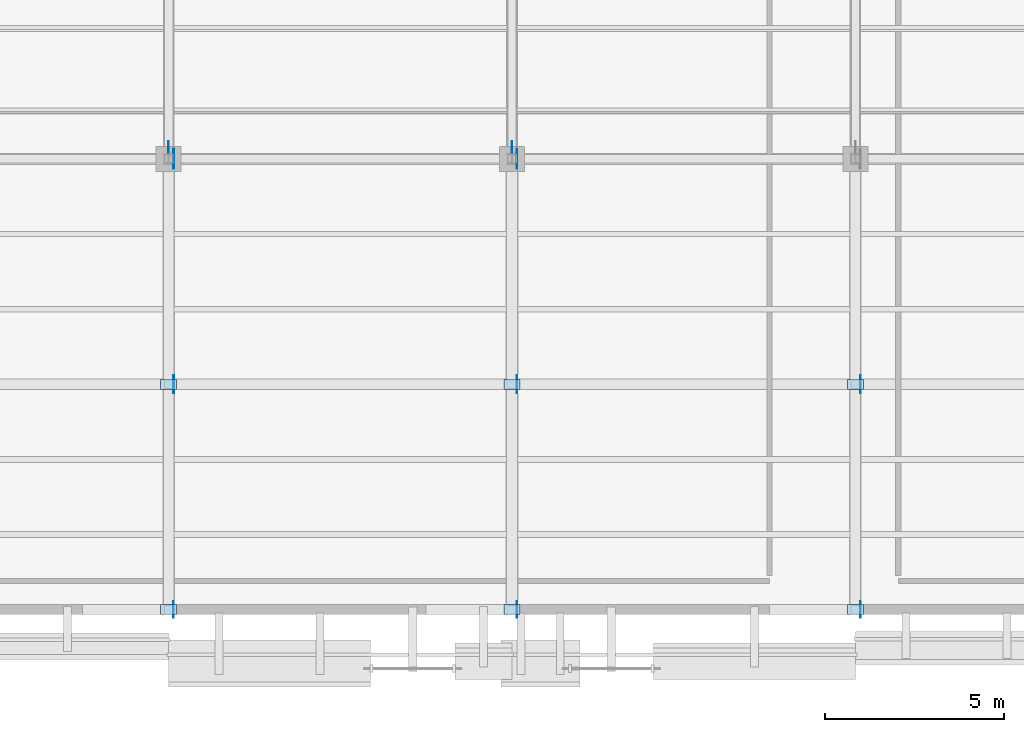
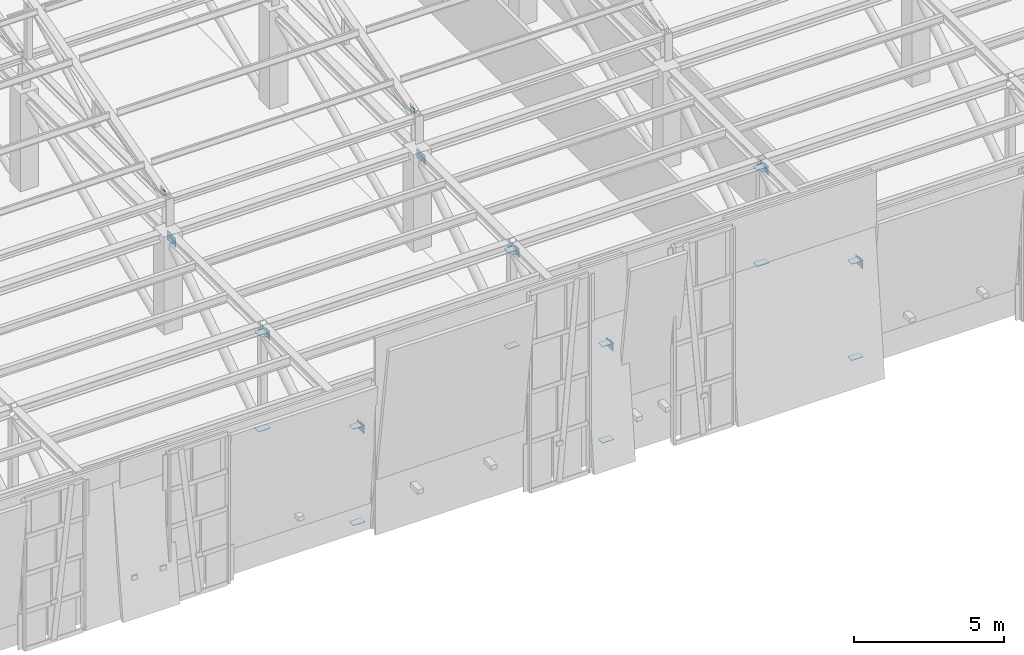
# One storey, part 43 of 71: 22 plates.
"""IFC4 building model written with IfcOpenShell, lengths in metres."""

from ifc_helpers import new_model, si_unit, direction, frame, origin, origin_2d, place, context, subcontext, project, spatial, rectangle, extrude, material, layer, layer_set, type_object, element, save


model = new_model("IFC4")

# Units and contexts
model_context = context("Model", 3, precision=1e-05, world=origin(), true_north=direction((0.0, 1.0)))
body_context = subcontext(model_context, "Body", "Model", "MODEL_VIEW")
ifc_project = project(units=[si_unit("LENGTHUNIT", "METRE"), si_unit("AREAUNIT", "SQUARE_METRE"), si_unit("VOLUMEUNIT", "CUBIC_METRE"), si_unit("PLANEANGLEUNIT", "RADIAN"), si_unit("MASSUNIT", "GRAM", prefix="KILO")], contexts=[model_context])

# Site, building, storey
site_placement = place(None, origin())
site = spatial("IfcSite", under=ifc_project, at=site_placement, CompositionType="ELEMENT")
building_placement = place(site_placement, origin())
building = spatial("IfcBuilding", under=site, at=building_placement, Name="Bempovik Park Faculty of Sciences", CompositionType="ELEMENT")
storey_placement = place(building_placement, frame((0.0, 0.0, 14.10009765625)))
storey = spatial("IfcBuildingStorey", under=building, at=storey_placement, Name="L03", CompositionType="ELEMENT", Elevation=14.10009765625)

# Plates
ifc_material = material(Name="Steel S355", Category="steel")
ifc_layer_1 = layer(ifc_material, 0.02392578125)
ifc_layer_set_1 = layer_set([ifc_layer_1], Name="Steel S355")
plate_type_1 = type_object("IfcPlateType", Name="PL-25 Steel Plate 560x380x24", PredefinedType="SHEET", material=ifc_layer_set_1)
for number, where, z_axis, x_axis, name in (
    (1, (79.340087890625, 19.800048828125, 3.330078125), (0.0, 0.0, 1.0), (1.0, 0.0, 0.0), "Cantilever Gusset Plate CT3-3-T"),
    (2, (88.93994140625, 19.800048828125, 3.330078125), (0.0, 0.0, 1.0), (1.0, 0.0, 0.0), "Cantilever Gusset Plate CT4-3-T"),
):
    element("IfcPlate", number, at=place(storey_placement, frame(where, z_axis=z_axis, x_axis=x_axis)), inside=storey, type_object=plate_type_1, Name=name, PredefinedType="SHEET", context=body_context, shape_type="SweptSolid", body=[
        extrude(rectangle(XDim=0.02392578125, YDim=0.56005859375, at=origin_2d()), origin(), (0.0, 0.0, 1.0), 0.3798828125),
    ])
ifc_layer_2 = layer(ifc_material, 0.011962890625)
ifc_layer_set_2 = layer_set([ifc_layer_2], Name="Steel S355")
plate_type_2 = type_object("IfcPlateType", Name="PL-26 Steel Plate 320x220x12", PredefinedType="SHEET", material=ifc_layer_set_2)
for number, where, z_axis, x_axis, name in (
    (3, (79.199951171875, 20.1298828125, 5.17578125), (0.0, 0.0, 1.0), (1.0, 0.0, 0.0), "Brace/Strut End Gusset Plate SAW-V1-B1-D1-792-E1"),
    (4, (88.800048828125, 20.1298828125, 5.17578125), (0.0, 0.0, 1.0), (1.0, 0.0, 0.0), "Brace/Strut End Gusset Plate SAW-V1-B1-D1-888-E1"),
):
    element("IfcPlate", number, at=place(storey_placement, frame(where, z_axis=z_axis, x_axis=x_axis)), inside=storey, type_object=plate_type_2, Name=name, PredefinedType="SHEET", context=body_context, shape_type="SweptSolid", body=[
        extrude(rectangle(XDim=0.011962890625, YDim=0.320068359375, at=origin_2d()), origin(), (0.0, 0.0, 1.0), 0.219970703125),
    ])
ifc_layer_3 = layer(ifc_material, 0.02001953125)
ifc_layer_set_3 = layer_set([ifc_layer_3], Name="Steel S355")
plate_type_3 = type_object("IfcPlateType", Name="PL-30 Steel Plate 460x320x20", PredefinedType="SHEET", material=ifc_layer_set_3)
for number, where, z_axis, x_axis, name in (
    (5, (79.340087890625, 7.199951171875, 3.35986328125), (0.0, 0.0, 1.0), (1.0, 0.0, 0.0), "Cantilever Gusset Plate CT3-1-T"),
    (6, (88.93994140625, 7.199951171875, 3.35986328125), (0.0, 0.0, 1.0), (1.0, 0.0, 0.0), "Cantilever Gusset Plate CT4-1-T"),
    (7, (98.5400390625, 7.199951171875, 3.35986328125), (0.0, 0.0, 1.0), (1.0, 0.0, 0.0), "Cantilever Gusset Plate CT5-1-T"),
):
    element("IfcPlate", number, at=place(storey_placement, frame(where, z_axis=z_axis, x_axis=x_axis)), inside=storey, type_object=plate_type_3, Name=name, PredefinedType="SHEET", context=body_context, shape_type="SweptSolid", body=[
        extrude(rectangle(XDim=0.02001953125, YDim=0.4599609375, at=origin_2d()), origin(), (0.0, 0.0, 1.0), 0.320068359375),
    ])
ifc_layer_4 = layer(ifc_material, 0.02001953125)
ifc_layer_set_4 = layer_set([ifc_layer_4], Name="Steel S355")
plate_type_4 = type_object("IfcPlateType", Name="PL-36 Steel Plate 450x280x20", PredefinedType="USERDEFINED", material=ifc_layer_set_4)
for number, where, z_axis, x_axis, name in (
    (8, (79.199951171875, 7.199951171875, 3.61181640625), (0.0, 0.0, 1.0), (1.0, 0.0, 0.0), "Cantilever Post End Cap Plate CT3-1-T"),
    (9, (79.199951171875, 7.199951171875, -0.31201171875), (0.0, 0.0, 1.0), (1.0, 0.0, 0.0), "Cantilever Post End Cap Plate CT3-1-MB"),
    (10, (79.199951171875, 13.5, 3.61181640625), (0.0, 0.0, 1.0), (1.0, 0.0, 0.0), "Cantilever Post End Cap Plate CT3-2-T"),
    (11, (79.199951171875, 13.5, -0.31201171875), (0.0, 0.0, 1.0), (1.0, 0.0, 0.0), "Cantilever Post End Cap Plate CT3-2-MB"),
    (12, (88.800048828125, 7.199951171875, 3.61181640625), (0.0, 0.0, 1.0), (1.0, 0.0, 0.0), "Cantilever Post End Cap Plate CT4-1-T"),
    (13, (88.800048828125, 7.199951171875, -0.31201171875), (0.0, 0.0, 1.0), (1.0, 0.0, 0.0), "Cantilever Post End Cap Plate CT4-1-MB"),
    (14, (88.800048828125, 13.5, 3.61181640625), (0.0, 0.0, 1.0), (1.0, 0.0, 0.0), "Cantilever Post End Cap Plate CT4-2-T"),
    (15, (88.800048828125, 13.5, -0.31201171875), (0.0, 0.0, 1.0), (1.0, 0.0, 0.0), "Cantilever Post End Cap Plate CT4-2-MB"),
    (16, (98.39990234375, 7.199951171875, 3.61181640625), (0.0, 0.0, 1.0), (1.0, 0.0, 0.0), "Cantilever Post End Cap Plate CT5-1-T"),
    (17, (98.39990234375, 7.199951171875, -0.31201171875), (0.0, 0.0, 1.0), (1.0, 0.0, 0.0), "Cantilever Post End Cap Plate CT5-1-MB"),
    (18, (98.39990234375, 13.5, 3.61181640625), (0.0, 0.0, 1.0), (1.0, 0.0, 0.0), "Cantilever Post End Cap Plate CT5-2-T"),
    (19, (98.39990234375, 13.5, -0.31201171875), (0.0, 0.0, 1.0), (1.0, 0.0, 0.0), "Cantilever Post End Cap Plate CT5-2-MB"),
):
    element("IfcPlate", number, at=place(storey_placement, frame(where, z_axis=z_axis, x_axis=x_axis)), inside=storey, type_object=plate_type_4, Name=name, ObjectType="STIFFENER PLATE", PredefinedType="USERDEFINED", context=body_context, shape_type="SweptSolid", body=[
        extrude(rectangle(XDim=0.449951171875, YDim=0.280029296875, at=origin_2d()), origin(), (0.0, 0.0, 1.0), 0.02001953125),
    ])
ifc_layer_5 = layer(ifc_material, 0.02197265625)
ifc_layer_set_5 = layer_set([ifc_layer_5], Name="Steel S355")
plate_type_5 = type_object("IfcPlateType", Name="PL-46 Steel Plate 500x340x22", PredefinedType="SHEET", material=ifc_layer_set_5)
for number, where, z_axis, x_axis, name in (
    (20, (79.340087890625, 13.5, 3.35009765625), (0.0, 0.0, 1.0), (1.0, 0.0, 0.0), "Cantilever Gusset Plate CT3-2-T"),
    (21, (88.93994140625, 13.5, 3.35009765625), (0.0, 0.0, 1.0), (1.0, 0.0, 0.0), "Cantilever Gusset Plate CT4-2-T"),
    (22, (98.5400390625, 13.5, 3.35009765625), (0.0, 0.0, 1.0), (1.0, 0.0, 0.0), "Cantilever Gusset Plate CT5-2-T"),
):
    element("IfcPlate", number, at=place(storey_placement, frame(where, z_axis=z_axis, x_axis=x_axis)), inside=storey, type_object=plate_type_5, Name=name, PredefinedType="SHEET", context=body_context, shape_type="SweptSolid", body=[
        extrude(rectangle(XDim=0.02197265625, YDim=0.5, at=origin_2d()), origin(), (0.0, 0.0, 1.0), 0.340087890625),
    ])

save(model, "model.ifc")
